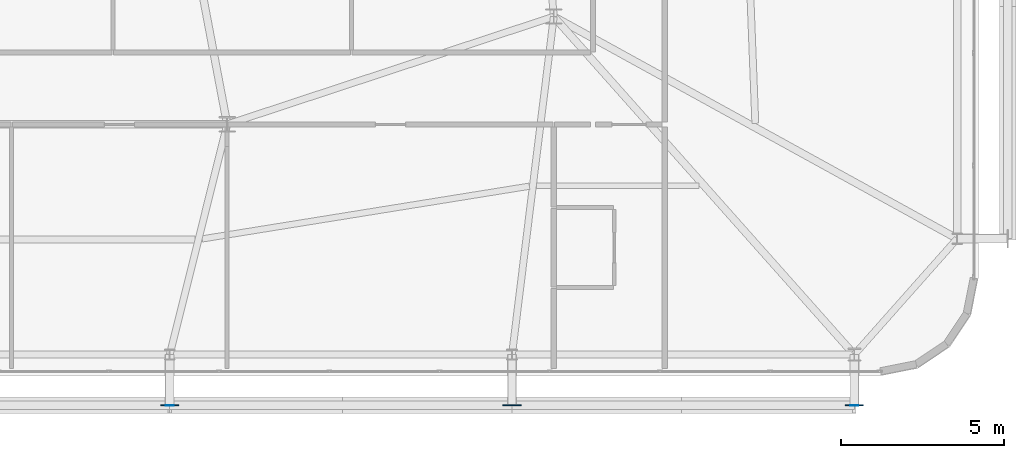
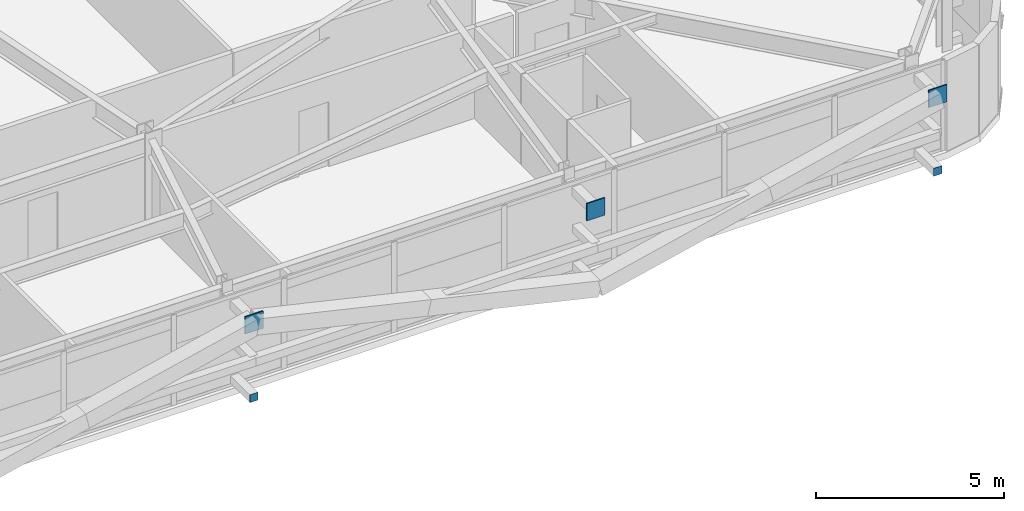
# One storey, part 47 of 58: 5 plates.
"""IFC4 building model written with IfcOpenShell, lengths in metres."""

from ifc_helpers import new_model, si_unit, direction, frame, origin, origin_2d, place, context, subcontext, project, spatial, rectangle, extrude, source, transform, mapped, material, layer, layer_set, type_object, element, save


model = new_model("IFC4")

# Units and contexts
model_context = context("Model", 3, precision=1e-05, world=origin(), true_north=direction((0.0, 1.0)))
body_context = subcontext(model_context, "Body", "Model", "MODEL_VIEW")
ifc_project = project(units=[si_unit("LENGTHUNIT", "METRE"), si_unit("AREAUNIT", "SQUARE_METRE"), si_unit("VOLUMEUNIT", "CUBIC_METRE"), si_unit("PLANEANGLEUNIT", "RADIAN"), si_unit("MASSUNIT", "GRAM", prefix="KILO")], contexts=[model_context])

# Site, building, storey
site_placement = place(None, origin())
site = spatial("IfcSite", under=ifc_project, at=site_placement, CompositionType="ELEMENT")
building_placement = place(site_placement, origin())
building = spatial("IfcBuilding", under=site, at=building_placement, Name="Taldren Reach Tower", CompositionType="ELEMENT")
storey_placement = place(building_placement, frame((0.0, 0.0, 35.699951171875)))
storey = spatial("IfcBuildingStorey", under=building, at=storey_placement, Name="L10", CompositionType="ELEMENT", Elevation=35.699951171875)

# Plates
ifc_material_1 = material(Name="Steel Gr 450 (C450L0)", Category="steel")
ifc_layer_1 = layer(ifc_material_1, 0.0400390625)
ifc_layer_set_1 = layer_set([ifc_layer_1], Name="Steel Gr 450 (C450L0)")
plate_type_1 = type_object("IfcPlateType", Name="PL-GUSSET-40", PredefinedType="SHEET", material=ifc_layer_set_1)
shared_shape_1 = source(origin(), body_context, "Body", "SweptSolid", [
    extrude(rectangle(XDim=0.56005859375, YDim=0.0400390625, at=origin_2d()), origin(), (0.0, 0.0, 1.0), 0.56005859375),
])
for number, where, z_axis, x_axis, name in (
    (1, (40.239990234375, 0.60009765625, 2.3701171875), (0.0, 0.0, 1.0), (1.0, 0.0, 0.0), "Exoskeleton star-node gusset plate B1-S4 L10"),
    (2, (50.719970703125, 0.60009765625, 2.3701171875), (0.0, 0.0, 1.0), (1.0, 0.0, 0.0), "Exoskeleton star-node gusset plate B1-S5 L10"),
    (3, (61.199951171875, 0.60009765625, 2.3701171875), (0.0, 0.0, 1.0), (1.0, 0.0, 0.0), "Exoskeleton star-node gusset plate B1-S6 L10"),
):
    element("IfcPlate", number, at=place(storey_placement, frame(where, z_axis=z_axis, x_axis=x_axis)), inside=storey, type_object=plate_type_1, Name=name, PredefinedType="SHEET", context=body_context, shape_type="MappedRepresentation", body=[
        mapped(shared_shape_1, transform((0.0, 0.0, 0.0), scale=1.0)),
    ])
ifc_material_2 = material(Name="Steel Gr 350 (C350L0)", Category="steel")
ifc_layer_2 = layer(ifc_material_2, 0.011962890625)
ifc_layer_set_2 = layer_set([ifc_layer_2], Name="Steel Gr 350 (C350L0)")
plate_type_2 = type_object("IfcPlateType", Name="PL-CAP-250", PredefinedType="SHEET", material=ifc_layer_set_2)
shared_shape_2 = source(origin(), body_context, "Body", "SweptSolid", [
    extrude(rectangle(XDim=0.25, YDim=0.011962890625, at=origin_2d()), origin(), (0.0, 0.0, 1.0), 0.25),
])
for number, where, z_axis, x_axis, name in (
    (4, (40.239990234375, 0.593994140625, 0.094970703125), (0.0, 0.0, 1.0), (1.0, 0.0, 0.0), "Tie strut end cap plate B1-S4 L10"),
    (5, (61.199951171875, 0.593994140625, 0.094970703125), (0.0, 0.0, 1.0), (1.0, 0.0, 0.0), "Tie strut end cap plate B1-S6 L10"),
):
    element("IfcPlate", number, at=place(storey_placement, frame(where, z_axis=z_axis, x_axis=x_axis)), inside=storey, type_object=plate_type_2, Name=name, PredefinedType="SHEET", context=body_context, shape_type="MappedRepresentation", body=[
        mapped(shared_shape_2, transform((0.0, 0.0, 0.0), scale=1.0)),
    ])

save(model, "model.ifc")
